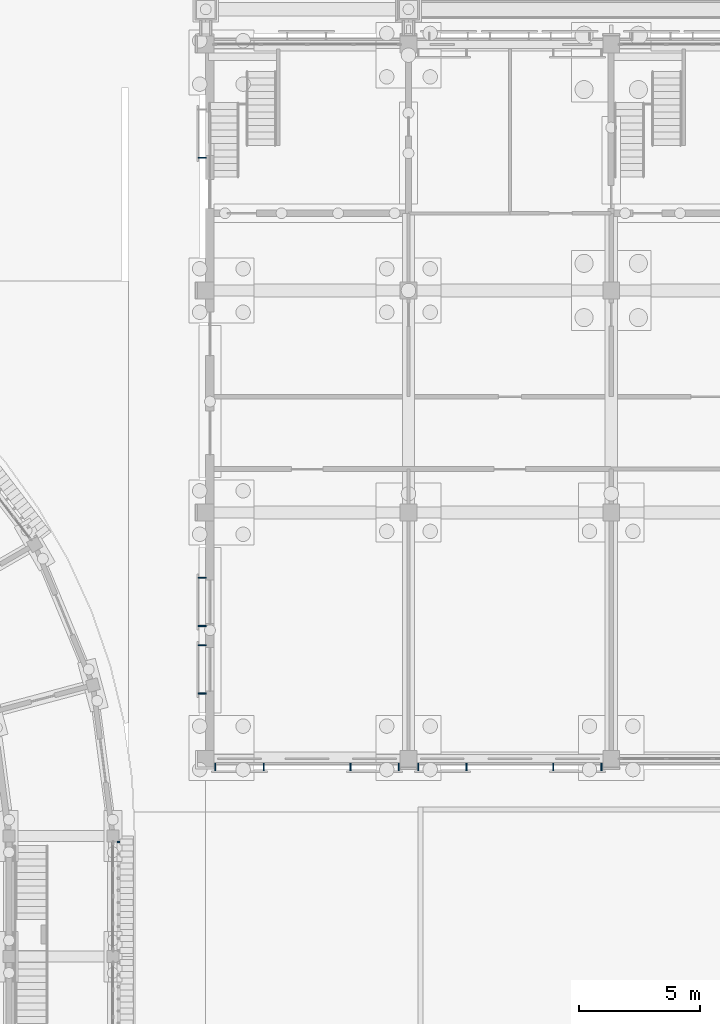
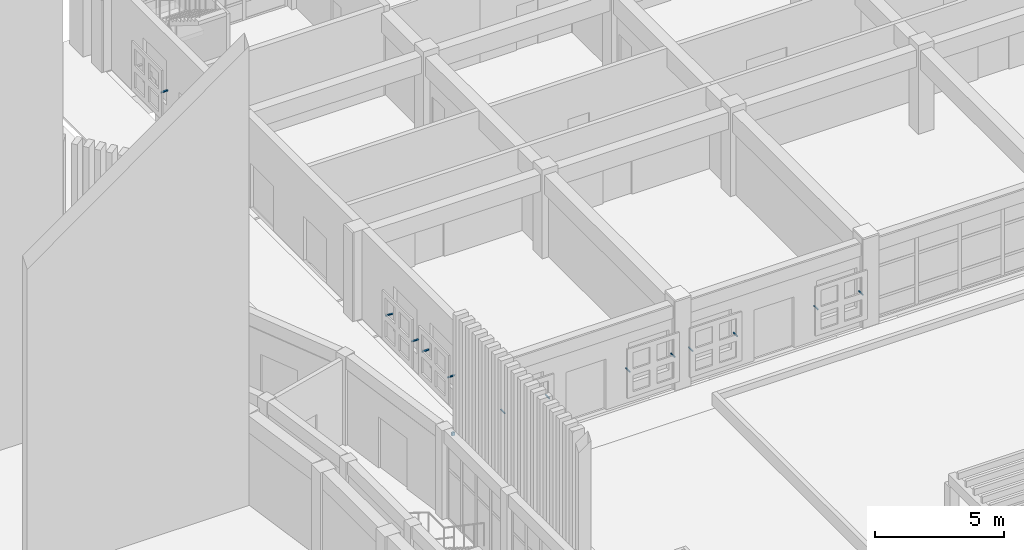
# One storey, part 89 of 112: 14 discrete accessories.
"""IFC4 building model written with IfcOpenShell, lengths in metres."""

from ifc_helpers import new_model, si_unit, direction, frame, origin, origin_2d, place, context, subcontext, project, spatial, rectangle, extrude, material, type_object, element, save


model = new_model("IFC4")

# Units and contexts
model_context = context("Model", 3, precision=1e-05, world=origin(), true_north=direction((0.0, 1.0)))
body_context = subcontext(model_context, "Body", "Model", "MODEL_VIEW")
ifc_project = project(units=[si_unit("LENGTHUNIT", "METRE"), si_unit("AREAUNIT", "SQUARE_METRE"), si_unit("VOLUMEUNIT", "CUBIC_METRE"), si_unit("PLANEANGLEUNIT", "RADIAN"), si_unit("MASSUNIT", "GRAM", prefix="KILO")], contexts=[model_context])

# Site, building, storey
site_placement = place(None, origin())
site = spatial("IfcSite", under=ifc_project, at=site_placement, CompositionType="ELEMENT")
building_placement = place(site_placement, origin())
building = spatial("IfcBuilding", under=site, at=building_placement, Name="Wasatch Bagh Community Centre", CompositionType="ELEMENT")
storey_placement = place(building_placement, origin())
storey = spatial("IfcBuildingStorey", under=building, at=storey_placement, Name="L00", CompositionType="ELEMENT", Elevation=0.0)

# Discrete accessories
ifc_material_1 = material(Name="ASTM A36 steel", Category="steel")
discrete_accessory_type_1 = type_object("IfcDiscreteAccessoryType", Name="Drum fin bracket", PredefinedType="BRACKET", material=ifc_material_1)
discrete_accessory_placement = place(storey_placement, frame((60.385009765625, 64.75, 3.824951171875), z_axis=(0.0, 0.0, 1.0), x_axis=(0.0, 1.0, 0.0)))
element("IfcDiscreteAccessory", 1, at=discrete_accessory_placement, inside=storey, type_object=discrete_accessory_type_1, Name="Fin bracket 18.10.1", PredefinedType="BRACKET", context=body_context, shape_type="SweptSolid", body=[
    extrude(rectangle(XDim=0.070068359375, YDim=0.1201171875, at=origin_2d()), origin(), (0.0, 0.0, 1.0), 0.14990234375),
])
ifc_material_2 = material(Name="Galvanised steel", Category="steel")
discrete_accessory_type_2 = type_object("IfcDiscreteAccessoryType", Name="LW jali bracket", PredefinedType="BRACKET", material=ifc_material_2)
for number, where, z_axis, x_axis, name in (
    (2, (64.39990234375, 67.860107421875, 1.634765625), (0.0, 0.0, 1.0), (1.0, 0.0, 0.0), "Jali bracket"),
    (3, (66.39990234375, 67.860107421875, 1.634765625), (0.0, 0.0, 1.0), (1.0, 0.0, 0.0), "Jali bracket"),
    (4, (70.0, 67.860107421875, 1.634765625), (0.0, 0.0, 1.0), (1.0, 0.0, 0.0), "Jali bracket"),
    (5, (72.0, 67.860107421875, 1.634765625), (0.0, 0.0, 1.0), (1.0, 0.0, 0.0), "Jali bracket"),
    (6, (72.800048828125, 67.860107421875, 1.634765625), (0.0, 0.0, 1.0), (1.0, 0.0, 0.0), "Jali bracket"),
    (7, (74.800048828125, 67.860107421875, 1.634765625), (0.0, 0.0, 1.0), (1.0, 0.0, 0.0), "Jali bracket"),
    (8, (78.39990234375, 67.860107421875, 1.634765625), (0.0, 0.0, 1.0), (1.0, 0.0, 0.0), "Jali bracket"),
    (9, (80.39990234375, 67.860107421875, 1.634765625), (0.0, 0.0, 1.0), (1.0, 0.0, 0.0), "Jali bracket"),
):
    element("IfcDiscreteAccessory", number, at=place(storey_placement, frame(where, z_axis=z_axis, x_axis=x_axis)), inside=storey, type_object=discrete_accessory_type_2, Name=name, PredefinedType="BRACKET", context=body_context, shape_type="SweptSolid", body=[
        extrude(rectangle(XDim=0.050048828125, YDim=0.320068359375, at=origin_2d()), origin(), (0.0, 0.0, 1.0), 0.050048828125),
    ])
for number, where, z_axis, x_axis, name in (
    (10, (63.860107421875, 70.89990234375, 1.634765625), (0.0, 0.0, 1.0), (1.0, 0.0, 0.0), "Jali bracket"),
    (11, (63.860107421875, 72.89990234375, 1.634765625), (0.0, 0.0, 1.0), (1.0, 0.0, 0.0), "Jali bracket"),
    (12, (63.860107421875, 73.699951171875, 1.634765625), (0.0, 0.0, 1.0), (1.0, 0.0, 0.0), "Jali bracket"),
    (13, (63.860107421875, 75.699951171875, 1.634765625), (0.0, 0.0, 1.0), (1.0, 0.0, 0.0), "Jali bracket"),
    (14, (63.860107421875, 93.10009765625, 1.634765625), (0.0, 0.0, 1.0), (1.0, 0.0, 0.0), "Jali bracket"),
):
    element("IfcDiscreteAccessory", number, at=place(storey_placement, frame(where, z_axis=z_axis, x_axis=x_axis)), inside=storey, type_object=discrete_accessory_type_2, Name=name, PredefinedType="BRACKET", context=body_context, shape_type="SweptSolid", body=[
        extrude(rectangle(XDim=0.320068359375, YDim=0.050048828125, at=origin_2d()), origin(), (0.0, 0.0, 1.0), 0.050048828125),
    ])

save(model, "model.ifc")
